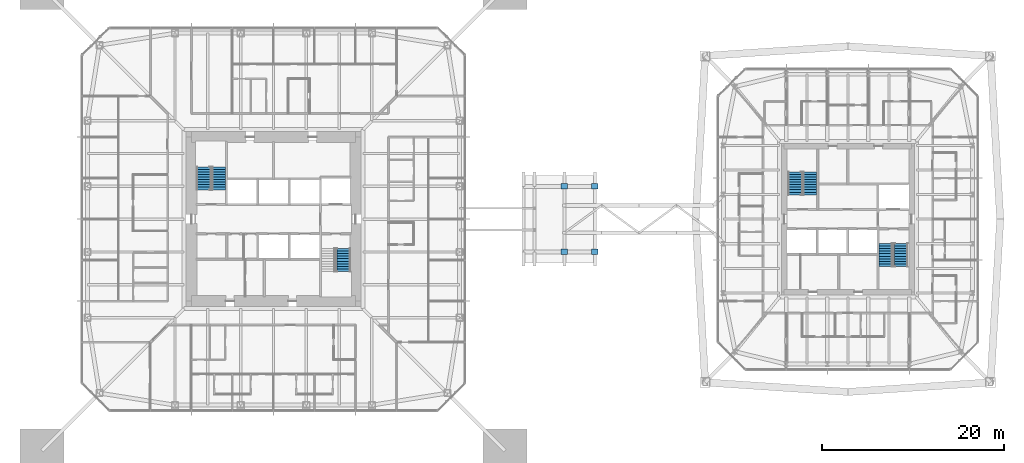
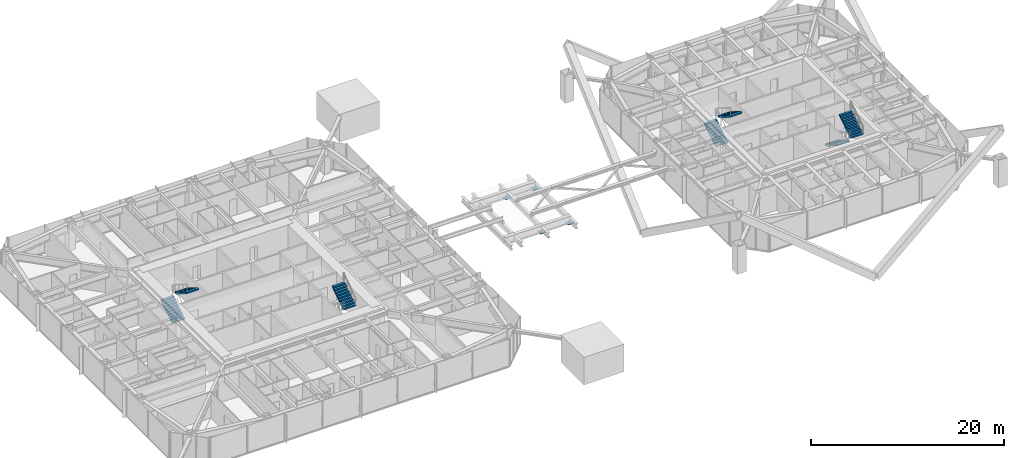
# One storey, part 22 of 27: 7 stair flights, 4 discrete accessories, 4 elements without a shape of their own.
"""IFC4 building model written with IfcOpenShell, lengths in metres."""

from ifc_helpers import new_model, si_unit, direction, frame, origin, origin_2d, place, context, subcontext, project, spatial, polyline, rectangle, outline, extrude, material, constituent, constituent_set, type_object, element, aggregate, save


model = new_model("IFC4")

# Units and contexts
model_context = context("Model", 3, precision=1e-05, world=origin(), true_north=direction((0.0, 1.0)))
body_context = subcontext(model_context, "Body", "Model", "MODEL_VIEW")
ifc_project = project(units=[si_unit("LENGTHUNIT", "METRE"), si_unit("AREAUNIT", "SQUARE_METRE"), si_unit("VOLUMEUNIT", "CUBIC_METRE"), si_unit("PLANEANGLEUNIT", "RADIAN"), si_unit("MASSUNIT", "GRAM", prefix="KILO")], contexts=[model_context])

# Site, building, storey
site_placement = place(None, origin())
site = spatial("IfcSite", under=ifc_project, at=site_placement, CompositionType="ELEMENT")
building_placement = place(site_placement, origin())
building = spatial("IfcBuilding", under=site, at=building_placement, Name="Iwan Alto Co-Living Towers", CompositionType="ELEMENT")
storey_placement = place(building_placement, frame((0.0, 0.0, 94.5)))
storey = spatial("IfcBuildingStorey", under=building, at=storey_placement, Name="L25", CompositionType="ELEMENT", Elevation=94.5)

# Stair, stair flights
ifc_material_1 = material(Name="Steel ASTM A36", Category="steel")
ifc_constituent_1 = constituent(ifc_material_1, Name="Stringers", Category="LoadBearing")
ifc_material_2 = material(Name="Concrete f'c 30 MPa", Category="concrete")
ifc_constituent_2 = constituent(ifc_material_2, Name="Tread fill", Category="Finish")
ifc_constituent_set_1 = constituent_set(constituents=[ifc_constituent_1, ifc_constituent_2], Name="STAIR 3500 TWO-FLIGHT T1 CORE")
stair_type_1 = type_object("IfcStairType", Name="STAIR 3500 TWO-FLIGHT T1 CORE", PredefinedType="HALF_TURN_STAIR", material=ifc_constituent_set_1)
stair_1_placement = place(storey_placement, origin())
stair_1 = element("IfcStair", 1, at=stair_1_placement, inside=storey, type_object=stair_type_1, Name="Stair T1-S1 L25 to L26", PredefinedType="HALF_TURN_STAIR")
ifc_constituent_3 = constituent(ifc_material_1, Name="Stringers", Category="LoadBearing")
ifc_constituent_4 = constituent(ifc_material_2, Name="Tread fill", Category="Finish")
ifc_constituent_set_2 = constituent_set(constituents=[ifc_constituent_3, ifc_constituent_4], Name="STAIR FLIGHT 10 RISERS 280 GOING")
stair_flight_type = type_object("IfcStairFlightType", Name="STAIR FLIGHT 10 RISERS 280 GOING", PredefinedType="STRAIGHT", material=ifc_constituent_set_2)
stair_flight_1_placement = place(storey_placement, frame((-7.68994140625, 3.219970703125, 0.0), z_axis=(0.0, 0.0, 1.0), x_axis=(0.0, 1.0, 0.0)))
stair_flight_1 = element("IfcStairFlight", 2, at=stair_flight_1_placement, type_object=stair_flight_type, Name="T1-S1 flight 1", NumberOfRisers=10, NumberOfTreads=9, PredefinedType="STRAIGHT", RiserHeight=0.175, TreadLength=0.28, context=body_context, shape_type="SweptSolid", body=[
    extrude(outline(polyline([(0.0, 0.0), (0.0, 0.175048828125), (0.280029296875, 0.175048828125), (0.280029296875, 0.35009765625), (0.56005859375, 0.35009765625), (0.56005859375, 0.52490234375), (0.840087890625, 0.52490234375), (0.840087890625, 0.699951171875), (1.1201171875, 0.699951171875), (1.1201171875, 0.875), (1.39990234375, 0.875), (1.39990234375, 1.050048828125), (1.679931640625, 1.050048828125), (1.679931640625, 1.22509765625), (1.9599609375, 1.22509765625), (1.9599609375, 1.39990234375), (2.239990234375, 1.39990234375), (2.239990234375, 1.574951171875), (2.52001953125, 1.574951171875), (2.52001953125, 1.75), (2.52001953125, 1.398193359375), (0.28271484375, 0.0), (0.0, 0.0)])), frame((0.0, 0.739990234375, 0.0), z_axis=(0.0, -1.0, 0.0), x_axis=(1.0, 0.0, 0.0)), (0.0, 0.0, 1.0), 1.47998046875),
])
stair_flight_2_placement = place(storey_placement, frame((-6.010009765625, 5.739990234375, 1.75), z_axis=(0.0, 0.0, 1.0), x_axis=(0.0, -1.0, 0.0)))
stair_flight_2 = element("IfcStairFlight", 3, at=stair_flight_2_placement, type_object=stair_flight_type, Name="T1-S1 flight 2", NumberOfRisers=10, NumberOfTreads=9, PredefinedType="STRAIGHT", RiserHeight=0.175, TreadLength=0.28, context=body_context, shape_type="SweptSolid", body=[
    extrude(outline(polyline([(0.0, 0.0), (0.0, 0.175048828125), (0.280029296875, 0.175048828125), (0.280029296875, 0.35009765625), (0.56005859375, 0.35009765625), (0.56005859375, 0.52490234375), (0.840087890625, 0.52490234375), (0.840087890625, 0.699951171875), (1.1201171875, 0.699951171875), (1.1201171875, 0.875), (1.39990234375, 0.875), (1.39990234375, 1.050048828125), (1.679931640625, 1.050048828125), (1.679931640625, 1.22509765625), (1.9599609375, 1.22509765625), (1.9599609375, 1.39990234375), (2.239990234375, 1.39990234375), (2.239990234375, 1.574951171875), (2.52001953125, 1.574951171875), (2.52001953125, 1.75), (2.52001953125, 1.398193359375), (0.28271484375, 0.0), (0.0, 0.0)])), frame((0.0, 0.739990234375, 0.0), z_axis=(0.0, -1.0, 0.0), x_axis=(1.0, 0.0, 0.0)), (0.0, 0.0, 1.0), 1.47998046875),
])
aggregate(stair_1, [stair_flight_1, stair_flight_2])

# Stair, stair flight
stair_2_placement = place(storey_placement, origin())
stair_2 = element("IfcStair", 4, at=stair_2_placement, inside=storey, type_object=stair_type_1, Name="Stair T1-S2 L25 to L26", PredefinedType="HALF_TURN_STAIR")
stair_flight_3_placement = place(storey_placement, frame((7.68994140625, -5.739990234375, 1.75), z_axis=(0.0, 0.0, 1.0), x_axis=(0.0, 1.0, 0.0)))
stair_flight_3 = element("IfcStairFlight", 5, at=stair_flight_3_placement, type_object=stair_flight_type, Name="T1-S2 flight 2", NumberOfRisers=10, NumberOfTreads=9, PredefinedType="STRAIGHT", RiserHeight=0.175, TreadLength=0.28, context=body_context, shape_type="SweptSolid", body=[
    extrude(outline(polyline([(0.0, 0.0), (0.0, 0.175048828125), (0.280029296875, 0.175048828125), (0.280029296875, 0.35009765625), (0.56005859375, 0.35009765625), (0.56005859375, 0.52490234375), (0.840087890625, 0.52490234375), (0.840087890625, 0.699951171875), (1.1201171875, 0.699951171875), (1.1201171875, 0.875), (1.39990234375, 0.875), (1.39990234375, 1.050048828125), (1.679931640625, 1.050048828125), (1.679931640625, 1.22509765625), (1.9599609375, 1.22509765625), (1.9599609375, 1.39990234375), (2.239990234375, 1.39990234375), (2.239990234375, 1.574951171875), (2.52001953125, 1.574951171875), (2.52001953125, 1.75), (2.52001953125, 1.398193359375), (0.28271484375, 0.0), (0.0, 0.0)])), frame((0.0, 0.739990234375, 0.0), z_axis=(0.0, -1.0, 0.0), x_axis=(1.0, 0.0, 0.0)), (0.0, 0.0, 1.0), 1.47998046875),
])
aggregate(stair_2, [stair_flight_3])

# Stair, stair flights
ifc_constituent_5 = constituent(ifc_material_1, Name="Stringers", Category="LoadBearing")
ifc_constituent_6 = constituent(ifc_material_2, Name="Tread fill", Category="Finish")
ifc_constituent_set_3 = constituent_set(constituents=[ifc_constituent_5, ifc_constituent_6], Name="STAIR 3500 TWO-FLIGHT T2 CORE")
stair_type_2 = type_object("IfcStairType", Name="STAIR 3500 TWO-FLIGHT T2 CORE", PredefinedType="HALF_TURN_STAIR", material=ifc_constituent_set_3)
stair_3_placement = place(storey_placement, origin())
stair_3 = element("IfcStair", 6, at=stair_3_placement, inside=storey, type_object=stair_type_2, Name="Stair T2-S1 L25 to L26", PredefinedType="HALF_TURN_STAIR")
stair_flight_4_placement = place(storey_placement, frame((57.159912109375, 2.669921875, 0.0), z_axis=(0.0, 0.0, 1.0), x_axis=(0.0, 1.0, 0.0)))
stair_flight_4 = element("IfcStairFlight", 7, at=stair_flight_4_placement, type_object=stair_flight_type, Name="T2-S1 flight 1", NumberOfRisers=10, NumberOfTreads=9, PredefinedType="STRAIGHT", RiserHeight=0.175, TreadLength=0.28, context=body_context, shape_type="SweptSolid", body=[
    extrude(outline(polyline([(0.0, 0.0), (0.0, 0.175048828125), (0.280029296875, 0.175048828125), (0.280029296875, 0.35009765625), (0.56005859375, 0.35009765625), (0.56005859375, 0.52490234375), (0.840087890625, 0.52490234375), (0.840087890625, 0.699951171875), (1.1201171875, 0.699951171875), (1.1201171875, 0.875), (1.39990234375, 0.875), (1.39990234375, 1.050048828125), (1.679931640625, 1.050048828125), (1.679931640625, 1.22509765625), (1.9599609375, 1.22509765625), (1.9599609375, 1.39990234375), (2.239990234375, 1.39990234375), (2.239990234375, 1.574951171875), (2.52001953125, 1.574951171875), (2.52001953125, 1.75), (2.52001953125, 1.398193359375), (0.28271484375, 0.0), (0.0, 0.0)])), frame((0.0, 0.739990234375, 0.0), z_axis=(0.0, -1.0, 0.0), x_axis=(1.0, 0.0, 0.0)), (0.0, 0.0, 1.0), 1.47998046875),
])
stair_flight_5_placement = place(storey_placement, frame((58.840087890625, 5.18994140625, 1.75), z_axis=(0.0, 0.0, 1.0), x_axis=(0.0, -1.0, 0.0)))
stair_flight_5 = element("IfcStairFlight", 8, at=stair_flight_5_placement, type_object=stair_flight_type, Name="T2-S1 flight 2", NumberOfRisers=10, NumberOfTreads=9, PredefinedType="STRAIGHT", RiserHeight=0.175, TreadLength=0.28, context=body_context, shape_type="SweptSolid", body=[
    extrude(outline(polyline([(0.0, 0.0), (0.0, 0.175048828125), (0.280029296875, 0.175048828125), (0.280029296875, 0.35009765625), (0.56005859375, 0.35009765625), (0.56005859375, 0.52490234375), (0.840087890625, 0.52490234375), (0.840087890625, 0.699951171875), (1.1201171875, 0.699951171875), (1.1201171875, 0.875), (1.39990234375, 0.875), (1.39990234375, 1.050048828125), (1.679931640625, 1.050048828125), (1.679931640625, 1.22509765625), (1.9599609375, 1.22509765625), (1.9599609375, 1.39990234375), (2.239990234375, 1.39990234375), (2.239990234375, 1.574951171875), (2.52001953125, 1.574951171875), (2.52001953125, 1.75), (2.52001953125, 1.398193359375), (0.28271484375, 0.0), (0.0, 0.0)])), frame((0.0, 0.739990234375, 0.0), z_axis=(0.0, -1.0, 0.0), x_axis=(1.0, 0.0, 0.0)), (0.0, 0.0, 1.0), 1.47998046875),
])
aggregate(stair_3, [stair_flight_4, stair_flight_5])

stair_4_placement = place(storey_placement, origin())
stair_4 = element("IfcStair", 9, at=stair_4_placement, inside=storey, type_object=stair_type_2, Name="Stair T2-S2 L25 to L26", PredefinedType="HALF_TURN_STAIR")
stair_flight_6_placement = place(storey_placement, frame((67.159912109375, -2.669921875, 0.0), z_axis=(0.0, 0.0, 1.0), x_axis=(0.0, -1.0, 0.0)))
stair_flight_6 = element("IfcStairFlight", 10, at=stair_flight_6_placement, type_object=stair_flight_type, Name="T2-S2 flight 1", NumberOfRisers=10, NumberOfTreads=9, PredefinedType="STRAIGHT", RiserHeight=0.175, TreadLength=0.28, context=body_context, shape_type="SweptSolid", body=[
    extrude(outline(polyline([(0.0, 0.0), (0.0, 0.175048828125), (0.280029296875, 0.175048828125), (0.280029296875, 0.35009765625), (0.56005859375, 0.35009765625), (0.56005859375, 0.52490234375), (0.840087890625, 0.52490234375), (0.840087890625, 0.699951171875), (1.1201171875, 0.699951171875), (1.1201171875, 0.875), (1.39990234375, 0.875), (1.39990234375, 1.050048828125), (1.679931640625, 1.050048828125), (1.679931640625, 1.22509765625), (1.9599609375, 1.22509765625), (1.9599609375, 1.39990234375), (2.239990234375, 1.39990234375), (2.239990234375, 1.574951171875), (2.52001953125, 1.574951171875), (2.52001953125, 1.75), (2.52001953125, 1.398193359375), (0.28271484375, 0.0), (0.0, 0.0)])), frame((0.0, 0.739990234375, 0.0), z_axis=(0.0, -1.0, 0.0), x_axis=(1.0, 0.0, 0.0)), (0.0, 0.0, 1.0), 1.47998046875),
])
stair_flight_7_placement = place(storey_placement, frame((68.840087890625, -5.18994140625, 1.75), z_axis=(0.0, 0.0, 1.0), x_axis=(0.0, 1.0, 0.0)))
stair_flight_7 = element("IfcStairFlight", 11, at=stair_flight_7_placement, type_object=stair_flight_type, Name="T2-S2 flight 2", NumberOfRisers=10, NumberOfTreads=9, PredefinedType="STRAIGHT", RiserHeight=0.175, TreadLength=0.28, context=body_context, shape_type="SweptSolid", body=[
    extrude(outline(polyline([(0.0, 0.0), (0.0, 0.175048828125), (0.280029296875, 0.175048828125), (0.280029296875, 0.35009765625), (0.56005859375, 0.35009765625), (0.56005859375, 0.52490234375), (0.840087890625, 0.52490234375), (0.840087890625, 0.699951171875), (1.1201171875, 0.699951171875), (1.1201171875, 0.875), (1.39990234375, 0.875), (1.39990234375, 1.050048828125), (1.679931640625, 1.050048828125), (1.679931640625, 1.22509765625), (1.9599609375, 1.22509765625), (1.9599609375, 1.39990234375), (2.239990234375, 1.39990234375), (2.239990234375, 1.574951171875), (2.52001953125, 1.574951171875), (2.52001953125, 1.75), (2.52001953125, 1.398193359375), (0.28271484375, 0.0), (0.0, 0.0)])), frame((0.0, 0.739990234375, 0.0), z_axis=(0.0, -1.0, 0.0), x_axis=(1.0, 0.0, 0.0)), (0.0, 0.0, 1.0), 1.47998046875),
])
aggregate(stair_4, [stair_flight_6, stair_flight_7])

# Discrete accessories
ifc_material_3 = material(Name="Steel ASTM A36", Category="steel")
discrete_accessory_type = type_object("IfcDiscreteAccessoryType", Name="END PLATE 700X600X40", PredefinedType="USERDEFINED", material=ifc_material_3)
for number, where, z_axis, x_axis, name in (
    (12, (31.89990234375, -3.60009765625, 1.60400390625), (0.0, 0.0, 1.0), (1.0, 0.0, 0.0), "BR1 landing strut S end plate"),
    (13, (35.25, -3.60009765625, 1.60400390625), (0.0, 0.0, 1.0), (1.0, 0.0, 0.0), "BR1 landing tip strut S end plate"),
    (14, (31.89990234375, 3.60009765625, 1.60400390625), (0.0, 0.0, 1.0), (1.0, 0.0, 0.0), "BR1 landing strut N end plate"),
    (15, (35.25, 3.60009765625, 1.60400390625), (0.0, 0.0, 1.0), (1.0, 0.0, 0.0), "BR1 landing tip strut N end plate"),
):
    element("IfcDiscreteAccessory", number, at=place(storey_placement, frame(where, z_axis=z_axis, x_axis=x_axis)), inside=storey, type_object=discrete_accessory_type, Name=name, ObjectType="END PLATE", PredefinedType="USERDEFINED", context=body_context, shape_type="SweptSolid", body=[
        extrude(rectangle(XDim=0.699951171875, YDim=0.60009765625, at=origin_2d()), origin(), (0.0, 0.0, 1.0), 0.0400390625),
    ])

save(model, "model.ifc")
